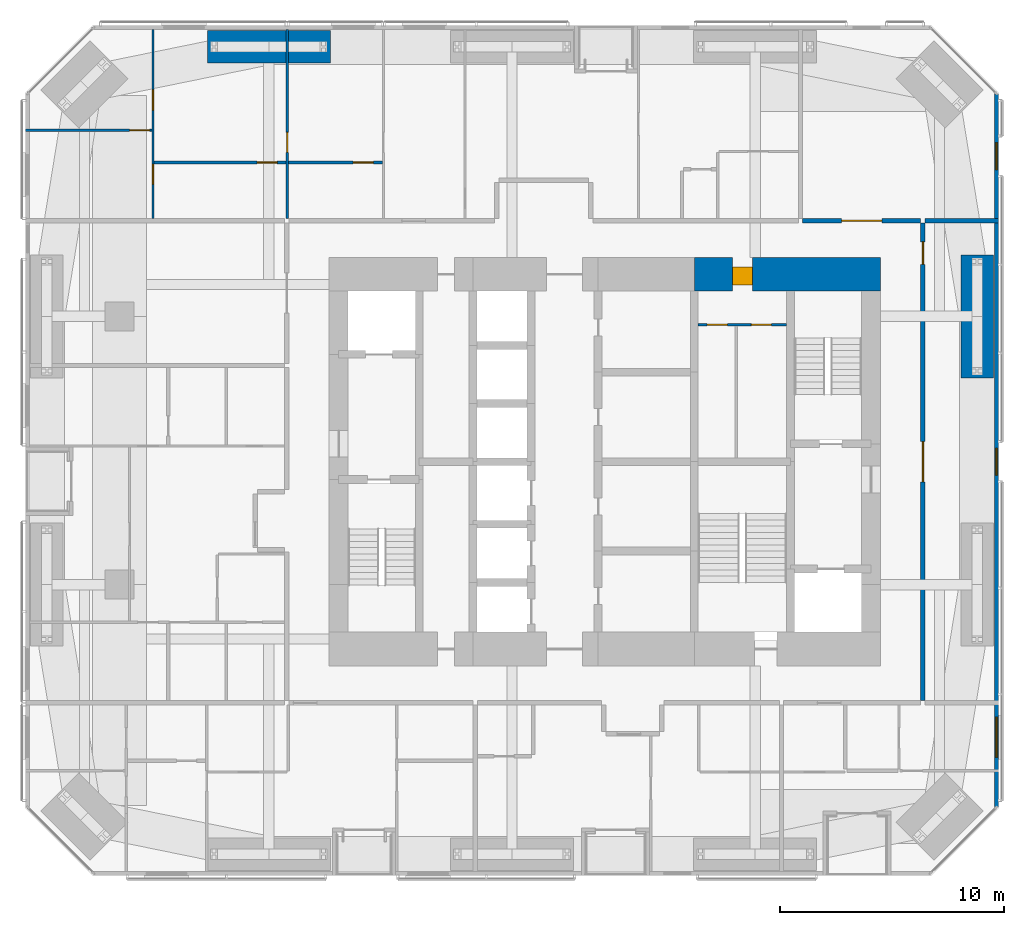
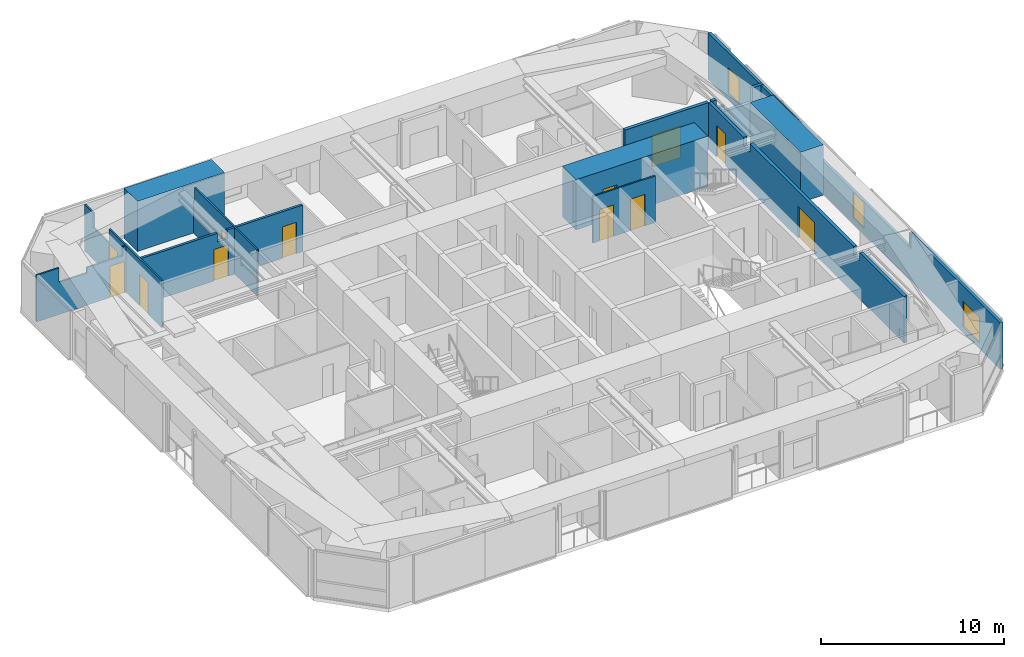
# One storey, part 21 of 23: 13 walls, 12 doors, 3 windows, 15 openings.
"""IFC4 building model written with IfcOpenShell, lengths in metres."""

from ifc_helpers import new_model, si_unit, direction, frame, frame_2d, origin, place, context, subcontext, project, spatial, polyline, rectangle, outline, extrude, material, layer, layer_set, constituent, constituent_set, type_object, element, fill, save


model = new_model("IFC4")

# Units and contexts
model_context = context("Model", 3, precision=1e-05, world=origin(), true_north=direction((0.0, 1.0)))
body_context = subcontext(model_context, "Body", "Model", "MODEL_VIEW")
ifc_project = project(units=[si_unit("LENGTHUNIT", "METRE"), si_unit("AREAUNIT", "SQUARE_METRE"), si_unit("VOLUMEUNIT", "CUBIC_METRE"), si_unit("PLANEANGLEUNIT", "RADIAN"), si_unit("MASSUNIT", "GRAM", prefix="KILO")], contexts=[model_context])

# Site, building, storey
site_placement = place(None, origin())
site = spatial("IfcSite", under=ifc_project, at=site_placement, CompositionType="ELEMENT")
building_placement = place(site_placement, origin())
building = spatial("IfcBuilding", under=site, at=building_placement, Name="Jalousie Tower", CompositionType="ELEMENT")
storey_placement = place(building_placement, frame((0.0, 0.0, 104.85009765625)))
storey = spatial("IfcBuildingStorey", under=building, at=storey_placement, Name="L28", CompositionType="ELEMENT", Elevation=104.85009765625)

# Wall, opening, door
ifc_material_1 = material(Name="Concrete block ASTM C90", Category="concrete")
ifc_constituent_1 = constituent(ifc_material_1, Name="Body")
ifc_material_2 = material(Name="Render")
ifc_constituent_2 = constituent(ifc_material_2, Name="Finish")
ifc_constituent_set_1 = constituent_set(constituents=[ifc_constituent_1, ifc_constituent_2])
wall_type_1 = type_object("IfcWallType", Name="BATHROOM WALL 150", PredefinedType="PLUMBINGWALL", material=ifc_constituent_set_1)
wall_1_placement = place(storey_placement, frame((11.75, 31.875, 0.0), z_axis=(0.0, 0.0, 1.0), x_axis=(1.0, 0.0, 0.0)))
wall_1 = element("IfcWall", 1, at=wall_1_placement, inside=storey, type_object=wall_type_1, Name="Bathroom Wall 150 L28", PredefinedType="PLUMBINGWALL", context=body_context, shape_type="SweptSolid", body=[
    extrude(outline(polyline([(0.0, 0.0), (5.89990234375, 0.0), (5.89990234375, 3.10986328125), (5.4375, 3.10986328125), (5.4375, 2.541015625), (4.8125, 2.541015625), (4.8125, 3.10986328125), (0.0, 3.10986328125), (0.0, 0.0)])), frame((0.0, 0.074951171875, 0.0), z_axis=(0.0, -1.0, 0.0), x_axis=(1.0, 0.0, 0.0)), (0.0, 0.0, 1.0), 0.14990234375),
])
opening_1_placement = place(wall_1_placement, frame((4.60009765625, 0.0, 0.0)))
opening_1 = element("IfcOpeningElement", 2, at=opening_1_placement, cuts=wall_1, Name="Opening D3", PredefinedType="OPENING", context=body_context, shape_type="SweptSolid", body=[
    extrude(rectangle(XDim=0.89990234375, YDim=2.10009765625, at=frame_2d((0.449951171875, 1.050048828125))), frame((0.0, 0.0849609375, 0.0), z_axis=(0.0, -1.0, 0.0), x_axis=(1.0, 0.0, 0.0)), (0.0, 0.0, 1.0), 0.169921875),
])
ifc_material_3 = material(Name="Timber door", Category="wood")
door_type_1 = type_object("IfcDoorType", Name="BATHROOM DOOR 900", OperationType="SINGLE_SWING_LEFT", PredefinedType="DOOR", material=ifc_material_3)
door_1_placement = place(opening_1_placement, frame((0.89990234375, 0.0, 0.0), z_axis=(0.0, 0.0, 1.0), x_axis=(-1.0, 0.0, 0.0)))
door_1 = element("IfcDoor", 3, at=door_1_placement, inside=storey, type_object=door_type_1, Name="Apartment 2804 bedroom 2 bathroom door", OperationType="SINGLE_SWING_LEFT", OverallHeight=2.10009765625, OverallWidth=0.89990234375, PredefinedType="DOOR", context=body_context, shape_type="SweptSolid", body=[
    extrude(rectangle(XDim=0.89990234375, YDim=2.10009765625, at=frame_2d((0.449951171875, 1.050048828125))), frame((0.0, 0.02490234375, 0.0), z_axis=(0.0, -1.0, 0.0), x_axis=(1.0, 0.0, 0.0)), (0.0, 0.0, 1.0), 0.050048828125),
])
fill(opening_1, door_1)

wall_2_placement = place(storey_placement, frame((17.75, 31.875, 0.0), z_axis=(0.0, 0.0, 1.0), x_axis=(1.0, 0.0, 0.0)))
wall_2 = element("IfcWall", 4, at=wall_2_placement, inside=storey, type_object=wall_type_1, Name="Bathroom Wall 150 L28", PredefinedType="PLUMBINGWALL", context=body_context, shape_type="SweptSolid", body=[
    extrude(rectangle(XDim=4.199951171875, YDim=0.14990234375, at=frame_2d((2.10009765625, 0.0))), origin(), (0.0, 0.0, 1.0), 3.10986328125),
])
opening_2_placement = place(wall_2_placement, frame((2.89990234375, 0.0, 0.0)))
opening_2 = element("IfcOpeningElement", 5, at=opening_2_placement, cuts=wall_2, Name="Opening D3", PredefinedType="OPENING", context=body_context, shape_type="SweptSolid", body=[
    extrude(rectangle(XDim=0.89990234375, YDim=2.10009765625, at=frame_2d((0.449951171875, 1.050048828125))), frame((0.0, 0.0849609375, 0.0), z_axis=(0.0, -1.0, 0.0), x_axis=(1.0, 0.0, 0.0)), (0.0, 0.0, 1.0), 0.169921875),
])
door_2_placement = place(opening_2_placement, frame((0.89990234375, 0.0, 0.0), z_axis=(0.0, 0.0, 1.0), x_axis=(-1.0, 0.0, 0.0)))
door_2 = element("IfcDoor", 6, at=door_2_placement, inside=storey, type_object=door_type_1, Name="Apartment 2804 bedroom 3 bathroom door", OperationType="SINGLE_SWING_LEFT", OverallHeight=2.10009765625, OverallWidth=0.89990234375, PredefinedType="DOOR", context=body_context, shape_type="SweptSolid", body=[
    extrude(rectangle(XDim=0.89990234375, YDim=2.10009765625, at=frame_2d((0.449951171875, 1.050048828125))), frame((0.0, 0.02490234375, 0.0), z_axis=(0.0, -1.0, 0.0), x_axis=(1.0, 0.0, 0.0)), (0.0, 0.0, 1.0), 0.050048828125),
])
fill(opening_2, door_2)

ifc_material_4 = material(Name="Concrete f'c 120 MPa", Category="concrete")
ifc_layer_1 = layer(ifc_material_4, 1.5)
ifc_layer_set_1 = layer_set([ifc_layer_1], Name="Concrete f'c 120 MPa")
wall_type_2 = type_object("IfcWallType", Name="CORE WALL 1500", PredefinedType="SHEAR", material=ifc_layer_set_1)
wall_3_placement = place(storey_placement, frame((44.22509765625, 26.875, 0.0), z_axis=(0.0, 0.0, 1.0), x_axis=(-1.0, 0.0, 0.0)))
wall_3 = element("IfcWall", 7, at=wall_3_placement, inside=storey, type_object=wall_type_2, Name="Core wall NA L28", PredefinedType="SHEAR", context=body_context, shape_type="SweptSolid", body=[
    extrude(rectangle(XDim=8.3251953125, YDim=1.5, at=frame_2d((4.16259765625, 0.0))), origin(), (0.0, 0.0, 1.0), 3.349853515625),
])
opening_3_placement = place(wall_3_placement, frame((5.72509765625, 0.0, 0.0)))
opening_3 = element("IfcOpeningElement", 8, at=opening_3_placement, cuts=wall_3, Name="Opening D25", PredefinedType="OPENING", context=body_context, shape_type="SweptSolid", body=[
    extrude(rectangle(XDim=0.89990234375, YDim=2.10009765625, at=frame_2d((0.449951171875, 1.050048828125))), frame((0.0, 0.760009765625, 0.0), z_axis=(0.0, -1.0, 0.0), x_axis=(1.0, 0.0, 0.0)), (0.0, 0.0, 1.0), 1.52001953125),
])
ifc_material_5 = material(Name="Steel fire door", Category="steel")
door_type_2 = type_object("IfcDoorType", Name="SERVICE LOBBY DOOR 900", OperationType="SINGLE_SWING_LEFT", PredefinedType="DOOR", material=ifc_material_5)
door_3_placement = place(opening_3_placement, origin())
door_3 = element("IfcDoor", 9, at=door_3_placement, inside=storey, type_object=door_type_2, Name="Service lobby door", OperationType="SINGLE_SWING_LEFT", OverallHeight=2.10009765625, OverallWidth=0.89990234375, PredefinedType="DOOR", context=body_context, shape_type="SweptSolid", body=[
    extrude(rectangle(XDim=0.89990234375, YDim=2.10009765625, at=frame_2d((0.449951171875, 1.050048828125))), frame((0.0, 0.47021484375, 0.0), z_axis=(0.0, -1.0, 0.0), x_axis=(1.0, 0.0, 0.0)), (0.0, 0.0, 1.0), 0.800048828125),
])
fill(opening_3, door_3)

ifc_material_6 = material(Name="Concrete block ASTM C90", Category="concrete")
ifc_constituent_3 = constituent(ifc_material_6, Name="Body")
ifc_material_7 = material(Name="Render")
ifc_constituent_4 = constituent(ifc_material_7, Name="Finish")
ifc_constituent_set_2 = constituent_set(constituents=[ifc_constituent_3, ifc_constituent_4])
wall_type_3 = type_object("IfcWallType", Name="CORRIDOR WALL 200", PredefinedType="PARTITIONING", material=ifc_constituent_set_2)
wall_4_placement = place(storey_placement, frame((40.75, 29.27490234375, 0.0), z_axis=(0.0, 0.0, 1.0), x_axis=(1.0, 0.0, 0.0)))
wall_4 = element("IfcWall", 10, at=wall_4_placement, inside=storey, type_object=wall_type_3, Name="Corridor Wall 200 L28", PredefinedType="PARTITIONING", context=body_context, shape_type="SweptSolid", body=[
    extrude(rectangle(XDim=5.27490234375, YDim=0.199951171875, at=frame_2d((2.637451171875, 0.0))), origin(), (0.0, 0.0, 1.0), 3.10986328125),
])
opening_4_placement = place(wall_4_placement, frame((1.737548828125, 0.0, 0.0)))
opening_4 = element("IfcOpeningElement", 11, at=opening_4_placement, cuts=wall_4, Name="Opening D22", PredefinedType="OPENING", context=body_context, shape_type="SweptSolid", body=[
    extrude(rectangle(XDim=1.800048828125, YDim=2.10009765625, at=frame_2d((0.89990234375, 1.050048828125))), frame((0.0, 0.10986328125, 0.0), z_axis=(0.0, -1.0, 0.0), x_axis=(1.0, 0.0, 0.0)), (0.0, 0.0, 1.0), 0.219970703125),
])
ifc_material_8 = material(Name="Timber fire door", Category="wood")
door_type_3 = type_object("IfcDoorType", Name="CORRIDOR DOUBLE DOOR 1800", OperationType="DOUBLE_DOOR_SINGLE_SWING", PredefinedType="DOOR", material=ifc_material_8)
door_4_placement = place(opening_4_placement, origin())
door_4 = element("IfcDoor", 12, at=door_4_placement, inside=storey, type_object=door_type_3, Name="Residents' games room door", OperationType="DOUBLE_DOOR_SINGLE_SWING", OverallHeight=2.10009765625, OverallWidth=1.800048828125, PredefinedType="DOOR", context=body_context, shape_type="SweptSolid", body=[
    extrude(rectangle(XDim=1.800048828125, YDim=2.10009765625, at=frame_2d((0.89990234375, 1.050048828125))), frame((0.0, 0.02490234375, 0.0), z_axis=(0.0, -1.0, 0.0), x_axis=(1.0, 0.0, 0.0)), (0.0, 0.0, 1.0), 0.050048828125),
])
fill(opening_4, door_4)

# Wall, openings, doors
wall_5_placement = place(storey_placement, frame((46.125, 7.824951171875, 0.0), z_axis=(0.0, 0.0, 1.0), x_axis=(0.0, 1.0, 0.0)))
wall_5 = element("IfcWall", 13, at=wall_5_placement, inside=storey, type_object=wall_type_3, Name="Corridor Wall 200 L28", PredefinedType="PARTITIONING", context=body_context, shape_type="SweptSolid", body=[
    extrude(outline(polyline([(0.0, 0.0), (21.35009765625, 0.0), (21.35009765625, 3.10986328125), (17.512451171875, 3.10986328125), (17.512451171875, 2.541015625), (16.837646484375, 2.541015625), (16.837646484375, 3.10986328125), (5.51220703125, 3.10986328125), (5.51220703125, 2.541015625), (4.837646484375, 2.541015625), (4.837646484375, 3.10986328125), (0.0, 3.10986328125), (0.0, 0.0)])), frame((0.0, 0.10009765625, 0.0), z_axis=(0.0, -1.0, 0.0), x_axis=(1.0, 0.0, 0.0)), (0.0, 0.0, 1.0), 0.199951171875),
])
opening_5_placement = place(wall_5_placement, frame((9.77490234375, 0.0, 0.0)))
opening_5 = element("IfcOpeningElement", 14, at=opening_5_placement, cuts=wall_5, Name="Opening D22", PredefinedType="OPENING", context=body_context, shape_type="SweptSolid", body=[
    extrude(rectangle(XDim=1.800048828125, YDim=2.10009765625, at=frame_2d((0.89990234375, 1.050048828125))), frame((0.0, 0.10986328125, 0.0), z_axis=(0.0, -1.0, 0.0), x_axis=(1.0, 0.0, 0.0)), (0.0, 0.0, 1.0), 0.219970703125),
])
opening_6_placement = place(wall_5_placement, frame((19.5, 0.0, 0.0)))
opening_6 = element("IfcOpeningElement", 15, at=opening_6_placement, cuts=wall_5, Name="Opening D21", PredefinedType="OPENING", context=body_context, shape_type="SweptSolid", body=[
    extrude(rectangle(XDim=1.0, YDim=2.10009765625, at=frame_2d((0.5, 1.050048828125))), frame((0.0, 0.10986328125, 0.0), z_axis=(0.0, -1.0, 0.0), x_axis=(1.0, 0.0, 0.0)), (0.0, 0.0, 1.0), 0.219970703125),
])
ifc_material_9 = material(Name="Timber fire door", Category="wood")
door_type_4 = type_object("IfcDoorType", Name="CORRIDOR DOOR 1000", OperationType="SINGLE_SWING_LEFT", PredefinedType="DOOR", material=ifc_material_9)
door_5_placement = place(opening_6_placement, frame((1.0, 0.0, 0.0), z_axis=(0.0, 0.0, 1.0), x_axis=(-1.0, 0.0, 0.0)))
door_5 = element("IfcDoor", 16, at=door_5_placement, inside=storey, type_object=door_type_4, Name="Lounge second door", OperationType="SINGLE_SWING_LEFT", OverallHeight=2.10009765625, OverallWidth=1.0, PredefinedType="DOOR", context=body_context, shape_type="SweptSolid", body=[
    extrude(rectangle(XDim=1.0, YDim=2.10009765625, at=frame_2d((0.5, 1.050048828125))), frame((0.0, 0.02490234375, 0.0), z_axis=(0.0, -1.0, 0.0), x_axis=(1.0, 0.0, 0.0)), (0.0, 0.0, 1.0), 0.050048828125),
])
fill(opening_6, door_5)
door_6_placement = place(opening_5_placement, frame((1.800048828125, 0.0, 0.0), z_axis=(0.0, 0.0, 1.0), x_axis=(-1.0, 0.0, 0.0)))
door_6 = element("IfcDoor", 17, at=door_6_placement, inside=storey, type_object=door_type_3, Name="Lounge door", OperationType="DOUBLE_DOOR_SINGLE_SWING", OverallHeight=2.10009765625, OverallWidth=1.800048828125, PredefinedType="DOOR", context=body_context, shape_type="SweptSolid", body=[
    extrude(rectangle(XDim=1.800048828125, YDim=2.10009765625, at=frame_2d((0.89990234375, 1.050048828125))), frame((0.0, 0.02490234375, 0.0), z_axis=(0.0, -1.0, 0.0), x_axis=(1.0, 0.0, 0.0)), (0.0, 0.0, 1.0), 0.050048828125),
])
fill(opening_5, door_6)

# Wall, openings, windows
ifc_material_10 = material(Name="Concrete f'c 40 MPa", Category="concrete")
ifc_constituent_5 = constituent(ifc_material_10, Name="Body")
ifc_material_11 = material(Name="Render, pastel sea green")
ifc_constituent_6 = constituent(ifc_material_11, Name="Finish")
ifc_constituent_set_3 = constituent_set(constituents=[ifc_constituent_5, ifc_constituent_6])
wall_type_4 = type_object("IfcWallType", Name="EXTERNAL WALL 175 SEA GREEN RENDER", PredefinedType="SOLIDWALL", material=ifc_constituent_set_3)
wall_6_placement = place(storey_placement, frame((49.41259765625, 3.05126953125, 0.0), z_axis=(0.0, 0.0, 1.0), x_axis=(0.0, 1.0, 0.0)))
wall_6 = element("IfcWall", 18, at=wall_6_placement, inside=storey, type_object=wall_type_4, Name="External Wall 175 Sea Green Render L28", PredefinedType="SOLIDWALL", context=body_context, shape_type="SweptSolid", body=[
    extrude(outline(polyline([(0.0, 0.0), (31.8974609375, 0.0), (31.8974609375, 3.10986328125), (22.167236328125, 3.10986328125), (22.167236328125, 2.14990234375), (22.074462890625, 2.14990234375), (22.074462890625, 3.10986328125), (21.94873046875, 3.10986328125), (21.94873046875, 2.14990234375), (9.94873046875, 2.14990234375), (9.94873046875, 3.10986328125), (9.822998046875, 3.10986328125), (9.822998046875, 2.14990234375), (9.72998046875, 2.14990234375), (9.72998046875, 3.10986328125), (0.0, 3.10986328125), (0.0, 0.0)])), frame((0.0, 0.08740234375, 0.0), z_axis=(0.0, -1.0, 0.0), x_axis=(1.0, 0.0, 0.0)), (0.0, 0.0, 1.0), 0.175048828125),
])
opening_7_placement = place(wall_6_placement, frame((2.22412109375, 0.0, 0.39990234375)))
opening_7 = element("IfcOpeningElement", 19, at=opening_7_placement, cuts=wall_6, Name="Opening W-BED170", PredefinedType="OPENING", context=body_context, shape_type="SweptSolid", body=[
    extrude(rectangle(XDim=1.800048828125, YDim=1.699951171875, at=frame_2d((0.89990234375, 0.85009765625))), frame((0.0, 0.097412109375, 0.0), z_axis=(0.0, -1.0, 0.0), x_axis=(1.0, 0.0, 0.0)), (0.0, 0.0, 1.0), 0.195068359375),
])
opening_8_placement = place(wall_6_placement, frame((14.8486328125, 0.0, 0.39990234375)))
opening_8 = element("IfcOpeningElement", 20, at=opening_8_placement, cuts=wall_6, Name="Opening W-COR170", PredefinedType="OPENING", context=body_context, shape_type="SweptSolid", body=[
    extrude(rectangle(XDim=1.199951171875, YDim=1.699951171875, at=frame_2d((0.60009765625, 0.85009765625))), frame((0.0, 0.097412109375, 0.0), z_axis=(0.0, -1.0, 0.0), x_axis=(1.0, 0.0, 0.0)), (0.0, 0.0, 1.0), 0.195068359375),
])
opening_9_placement = place(wall_6_placement, frame((28.510498046875, 0.0, 0.39990234375)))
opening_9 = element("IfcOpeningElement", 21, at=opening_9_placement, cuts=wall_6, Name="Opening W-COR170", PredefinedType="OPENING", context=body_context, shape_type="SweptSolid", body=[
    extrude(rectangle(XDim=1.199951171875, YDim=1.699951171875, at=frame_2d((0.60009765625, 0.85009765625))), frame((0.0, 0.097412109375, 0.0), z_axis=(0.0, -1.0, 0.0), x_axis=(1.0, 0.0, 0.0)), (0.0, 0.0, 1.0), 0.195068359375),
])
ifc_material_12 = material(Name="Aluminium frame, impact-rated glazing", Category="aluminium")
window_type_1 = type_object("IfcWindowType", Name="WINDOW BED 1800x1700", PartitioningType="SINGLE_PANEL", PredefinedType="WINDOW", material=ifc_material_12)
window_1_placement = place(opening_7_placement, origin())
window_1 = element("IfcWindow", 22, at=window_1_placement, inside=storey, type_object=window_type_1, Name="Apartment 2803 bedroom 1 window", OverallHeight=1.699951171875, OverallWidth=1.800048828125, PartitioningType="SINGLE_PANEL", PredefinedType="WINDOW", context=body_context, shape_type="SweptSolid", body=[
    extrude(rectangle(XDim=1.800048828125, YDim=1.699951171875, at=frame_2d((0.89990234375, 0.85009765625))), frame((0.0, 0.030029296875, 0.0), z_axis=(0.0, -1.0, 0.0), x_axis=(1.0, 0.0, 0.0)), (0.0, 0.0, 1.0), 0.06005859375),
])
fill(opening_7, window_1)
ifc_material_13 = material(Name="Aluminium frame, impact-rated glazing", Category="aluminium")
window_type_2 = type_object("IfcWindowType", Name="WINDOW COR 1200x1700", PartitioningType="SINGLE_PANEL", PredefinedType="WINDOW", material=ifc_material_13)
window_2_placement = place(opening_8_placement, origin())
window_2 = element("IfcWindow", 23, at=window_2_placement, inside=storey, type_object=window_type_2, Name="Residents' lounge window", OverallHeight=1.699951171875, OverallWidth=1.199951171875, PartitioningType="SINGLE_PANEL", PredefinedType="WINDOW", context=body_context, shape_type="SweptSolid", body=[
    extrude(rectangle(XDim=1.199951171875, YDim=1.699951171875, at=frame_2d((0.60009765625, 0.85009765625))), frame((0.0, 0.030029296875, 0.0), z_axis=(0.0, -1.0, 0.0), x_axis=(1.0, 0.0, 0.0)), (0.0, 0.0, 1.0), 0.06005859375),
])
fill(opening_8, window_2)
window_3_placement = place(opening_9_placement, origin())
window_3 = element("IfcWindow", 24, at=window_3_placement, inside=storey, type_object=window_type_2, Name="Residents' games room window", OverallHeight=1.699951171875, OverallWidth=1.199951171875, PartitioningType="SINGLE_PANEL", PredefinedType="WINDOW", context=body_context, shape_type="SweptSolid", body=[
    extrude(rectangle(XDim=1.199951171875, YDim=1.699951171875, at=frame_2d((0.60009765625, 0.85009765625))), frame((0.0, 0.030029296875, 0.0), z_axis=(0.0, -1.0, 0.0), x_axis=(1.0, 0.0, 0.0)), (0.0, 0.0, 1.0), 0.06005859375),
])
fill(opening_9, window_3)

# Wall, openings, doors
ifc_material_14 = material(Name="Gypsum board", Category="gypsum")
ifc_constituent_7 = constituent(ifc_material_14, Name="Body")
ifc_material_15 = material(Name="Light-gauge steel studs ASTM A653 SS Grade 33", Category="steel")
ifc_constituent_8 = constituent(ifc_material_15, Name="Framing")
ifc_constituent_set_4 = constituent_set(constituents=[ifc_constituent_7, ifc_constituent_8])
wall_type_5 = type_object("IfcWallType", Name="PARTITION 100", PredefinedType="PARTITIONING", material=ifc_constituent_set_4)
wall_7_placement = place(storey_placement, frame((11.699951171875, 37.824951171875, 0.0), z_axis=(0.0, 0.0, 1.0), x_axis=(0.0, -1.0, 0.0)))
wall_7 = element("IfcWall", 25, at=wall_7_placement, inside=storey, type_object=wall_type_5, Name="Partition 100 L28", PredefinedType="PARTITIONING", context=body_context, shape_type="SweptSolid", body=[
    extrude(outline(polyline([(0.0, 0.0), (8.449951171875, 0.0), (8.449951171875, 3.10986328125), (2.708251953125, 3.10986328125), (2.708251953125, 2.14990234375), (0.952880859375, 2.14990234375), (0.952880859375, 3.10986328125), (0.0, 3.10986328125), (0.0, 0.0)])), frame((0.0, 0.050048828125, 0.0), z_axis=(0.0, -1.0, 0.0), x_axis=(1.0, 0.0, 0.0)), (0.0, 0.0, 1.0), 0.10009765625),
])
opening_10_placement = place(wall_7_placement, frame((2.700927734375, 0.0, 0.0)))
opening_10 = element("IfcOpeningElement", 26, at=opening_10_placement, cuts=wall_7, Name="Opening D2", PredefinedType="OPENING", context=body_context, shape_type="SweptSolid", body=[
    extrude(rectangle(XDim=0.89990234375, YDim=2.10009765625, at=frame_2d((0.449951171875, 1.050048828125))), frame((0.0, 0.06005859375, 0.0), z_axis=(0.0, -1.0, 0.0), x_axis=(1.0, 0.0, 0.0)), (0.0, 0.0, 1.0), 0.1201171875),
])
opening_11_placement = place(wall_7_placement, frame((6.025390625, 0.0, 0.0)))
opening_11 = element("IfcOpeningElement", 27, at=opening_11_placement, cuts=wall_7, Name="Opening D3", PredefinedType="OPENING", context=body_context, shape_type="SweptSolid", body=[
    extrude(rectangle(XDim=0.89990234375, YDim=2.10009765625, at=frame_2d((0.449951171875, 1.050048828125))), frame((0.0, 0.06005859375, 0.0), z_axis=(0.0, -1.0, 0.0), x_axis=(1.0, 0.0, 0.0)), (0.0, 0.0, 1.0), 0.1201171875),
])
door_7_placement = place(opening_11_placement, origin())
door_7 = element("IfcDoor", 28, at=door_7_placement, inside=storey, type_object=door_type_1, Name="Apartment 2804 bedroom 1 bathroom door", OperationType="SINGLE_SWING_LEFT", OverallHeight=2.10009765625, OverallWidth=0.89990234375, PredefinedType="DOOR", context=body_context, shape_type="SweptSolid", body=[
    extrude(rectangle(XDim=0.89990234375, YDim=2.10009765625, at=frame_2d((0.449951171875, 1.050048828125))), frame((0.0, 0.02490234375, 0.0), z_axis=(0.0, -1.0, 0.0), x_axis=(1.0, 0.0, 0.0)), (0.0, 0.0, 1.0), 0.050048828125),
])
fill(opening_11, door_7)
ifc_material_16 = material(Name="Timber door", Category="wood")
door_type_5 = type_object("IfcDoorType", Name="BEDROOM DOOR 900", OperationType="SINGLE_SWING_LEFT", PredefinedType="DOOR", material=ifc_material_16)
door_8_placement = place(opening_10_placement, origin())
door_8 = element("IfcDoor", 29, at=door_8_placement, inside=storey, type_object=door_type_5, Name="Apartment 2804 bedroom 1 door", OperationType="SINGLE_SWING_RIGHT", OverallHeight=2.10009765625, OverallWidth=0.89990234375, PredefinedType="DOOR", context=body_context, shape_type="SweptSolid", body=[
    extrude(rectangle(XDim=0.89990234375, YDim=2.10009765625, at=frame_2d((0.449951171875, 1.050048828125))), frame((0.0, 0.02490234375, 0.0), z_axis=(0.0, -1.0, 0.0), x_axis=(1.0, 0.0, 0.0)), (0.0, 0.0, 1.0), 0.050048828125),
])
fill(opening_10, door_8)

# Wall, opening, door
wall_8_placement = place(storey_placement, frame((17.699951171875, 37.824951171875, 0.0), z_axis=(0.0, 0.0, 1.0), x_axis=(0.0, -1.0, 0.0)))
wall_8 = element("IfcWall", 30, at=wall_8_placement, inside=storey, type_object=wall_type_5, Name="Partition 100 L28", PredefinedType="PARTITIONING", context=body_context, shape_type="SweptSolid", body=[
    extrude(outline(polyline([(1.635009765625, 2.14990234375), (0.0, 2.14990234375), (0.0, 0.0), (8.449951171875, 0.0), (8.449951171875, 3.10986328125), (1.635009765625, 3.10986328125), (1.635009765625, 2.14990234375)]), holes=[polyline([(1.021240234375, 0.115966796875), (0.52880859375, 0.115966796875), (0.52880859375, 0.90576171875), (1.021240234375, 0.90576171875), (1.021240234375, 0.115966796875)]), polyline([(1.021240234375, 1.243896484375), (0.52880859375, 1.243896484375), (0.52880859375, 2.033935546875), (1.021240234375, 2.033935546875), (1.021240234375, 1.243896484375)])]), frame((0.0, 0.050048828125, 0.0), z_axis=(0.0, -1.0, 0.0), x_axis=(1.0, 0.0, 0.0)), (0.0, 0.0, 1.0), 0.10009765625),
])
opening_12_placement = place(wall_8_placement, frame((4.60009765625, 0.0, 0.0)))
opening_12 = element("IfcOpeningElement", 31, at=opening_12_placement, cuts=wall_8, Name="Opening D2", PredefinedType="OPENING", context=body_context, shape_type="SweptSolid", body=[
    extrude(rectangle(XDim=0.89990234375, YDim=2.10009765625, at=frame_2d((0.449951171875, 1.050048828125))), frame((0.0, 0.06005859375, 0.0), z_axis=(0.0, -1.0, 0.0), x_axis=(1.0, 0.0, 0.0)), (0.0, 0.0, 1.0), 0.1201171875),
])
door_9_placement = place(opening_12_placement, frame((0.89990234375, 0.0, 0.0), z_axis=(0.0, 0.0, 1.0), x_axis=(-1.0, 0.0, 0.0)))
door_9 = element("IfcDoor", 32, at=door_9_placement, inside=storey, type_object=door_type_5, Name="Apartment 2804 bedroom 2 door", OperationType="SINGLE_SWING_LEFT", OverallHeight=2.10009765625, OverallWidth=0.89990234375, PredefinedType="DOOR", context=body_context, shape_type="SweptSolid", body=[
    extrude(rectangle(XDim=0.89990234375, YDim=2.10009765625, at=frame_2d((0.449951171875, 1.050048828125))), frame((0.0, 0.02490234375, 0.0), z_axis=(0.0, -1.0, 0.0), x_axis=(1.0, 0.0, 0.0)), (0.0, 0.0, 1.0), 0.050048828125),
])
fill(opening_12, door_9)

wall_9_placement = place(storey_placement, frame((6.0, 33.32421875, 0.0), z_axis=(0.0, 0.0, 1.0), x_axis=(1.0, 0.0, 0.0)))
wall_9 = element("IfcWall", 33, at=wall_9_placement, inside=storey, type_object=wall_type_5, Name="Partition 100 L28", PredefinedType="PARTITIONING", context=body_context, shape_type="SweptSolid", body=[
    extrude(outline(polyline([(0.0, 0.0), (5.64990234375, 0.0), (5.64990234375, 3.10986328125), (5.4599609375, 3.10986328125), (5.4599609375, 2.510009765625), (3.171142578125, 2.510009765625), (3.171142578125, 2.14990234375), (1.4287109375, 2.14990234375), (1.4287109375, 3.10986328125), (0.0, 3.10986328125), (0.0, 0.0)])), frame((0.0, 0.050048828125, 0.0), z_axis=(0.0, -1.0, 0.0), x_axis=(1.0, 0.0, 0.0)), (0.0, 0.0, 1.0), 0.10009765625),
])
opening_13_placement = place(wall_9_placement, frame((4.64990234375, 0.0, 0.0)))
opening_13 = element("IfcOpeningElement", 34, at=opening_13_placement, cuts=wall_9, Name="Opening D7", PredefinedType="OPENING", context=body_context, shape_type="SweptSolid", body=[
    extrude(rectangle(XDim=0.89990234375, YDim=2.10009765625, at=frame_2d((0.449951171875, 1.050048828125))), frame((0.0, 0.06005859375, 0.0), z_axis=(0.0, -1.0, 0.0), x_axis=(1.0, 0.0, 0.0)), (0.0, 0.0, 1.0), 0.1201171875),
])
ifc_material_17 = material(Name="Timber door", Category="wood")
door_type_6 = type_object("IfcDoorType", Name="INTERNAL DOOR 900", OperationType="SINGLE_SWING_LEFT", PredefinedType="DOOR", material=ifc_material_17)
door_10_placement = place(opening_13_placement, frame((0.89990234375, 0.0, 0.0), z_axis=(0.0, 0.0, 1.0), x_axis=(-1.0, 0.0, 0.0)))
door_10 = element("IfcDoor", 35, at=door_10_placement, inside=storey, type_object=door_type_6, Name="Apartment 2804 bedroom 1 dressing hall door", OperationType="SINGLE_SWING_LEFT", OverallHeight=2.10009765625, OverallWidth=0.89990234375, PredefinedType="DOOR", context=body_context, shape_type="SweptSolid", body=[
    extrude(rectangle(XDim=0.89990234375, YDim=2.10009765625, at=frame_2d((0.449951171875, 1.050048828125))), frame((0.0, 0.02490234375, 0.0), z_axis=(0.0, -1.0, 0.0), x_axis=(1.0, 0.0, 0.0)), (0.0, 0.0, 1.0), 0.050048828125),
])
fill(opening_13, door_10)

# Wall, openings, doors
wall_10_placement = place(storey_placement, frame((36.074951171875, 24.625, 0.0), z_axis=(0.0, 0.0, 1.0), x_axis=(1.0, 0.0, 0.0)))
wall_10 = element("IfcWall", 36, at=wall_10_placement, inside=storey, type_object=wall_type_5, Name="Partition 100 L28", PredefinedType="PARTITIONING", context=body_context, shape_type="SweptSolid", body=[
    extrude(rectangle(XDim=3.949951171875, YDim=0.10009765625, at=frame_2d((1.97509765625, 0.0))), origin(), (0.0, 0.0, 1.0), 3.10986328125),
])
opening_14_placement = place(wall_10_placement, frame((0.39990234375, 0.0, 0.0)))
opening_14 = element("IfcOpeningElement", 37, at=opening_14_placement, cuts=wall_10, Name="Opening D7", PredefinedType="OPENING", context=body_context, shape_type="SweptSolid", body=[
    extrude(rectangle(XDim=0.89990234375, YDim=2.10009765625, at=frame_2d((0.449951171875, 1.050048828125))), frame((0.0, 0.06005859375, 0.0), z_axis=(0.0, -1.0, 0.0), x_axis=(1.0, 0.0, 0.0)), (0.0, 0.0, 1.0), 0.1201171875),
])
opening_15_placement = place(wall_10_placement, frame((2.375, 0.0, 0.0)))
opening_15 = element("IfcOpeningElement", 38, at=opening_15_placement, cuts=wall_10, Name="Opening D7", PredefinedType="OPENING", context=body_context, shape_type="SweptSolid", body=[
    extrude(rectangle(XDim=0.89990234375, YDim=2.10009765625, at=frame_2d((0.449951171875, 1.050048828125))), frame((0.0, 0.06005859375, 0.0), z_axis=(0.0, -1.0, 0.0), x_axis=(1.0, 0.0, 0.0)), (0.0, 0.0, 1.0), 0.1201171875),
])
door_11_placement = place(opening_14_placement, frame((0.89990234375, 0.0, 0.0), z_axis=(0.0, 0.0, 1.0), x_axis=(-1.0, 0.0, 0.0)))
door_11 = element("IfcDoor", 39, at=door_11_placement, inside=storey, type_object=door_type_6, Name="Staff WC door", OperationType="SINGLE_SWING_LEFT", OverallHeight=2.10009765625, OverallWidth=0.89990234375, PredefinedType="DOOR", context=body_context, shape_type="SweptSolid", body=[
    extrude(rectangle(XDim=0.89990234375, YDim=2.10009765625, at=frame_2d((0.449951171875, 1.050048828125))), frame((0.0, 0.02490234375, 0.0), z_axis=(0.0, -1.0, 0.0), x_axis=(1.0, 0.0, 0.0)), (0.0, 0.0, 1.0), 0.050048828125),
])
fill(opening_14, door_11)
door_12_placement = place(opening_15_placement, frame((0.89990234375, 0.0, 0.0), z_axis=(0.0, 0.0, 1.0), x_axis=(-1.0, 0.0, 0.0)))
door_12 = element("IfcDoor", 40, at=door_12_placement, inside=storey, type_object=door_type_6, Name="Pantry door", OperationType="SINGLE_SWING_RIGHT", OverallHeight=2.10009765625, OverallWidth=0.89990234375, PredefinedType="DOOR", context=body_context, shape_type="SweptSolid", body=[
    extrude(rectangle(XDim=0.89990234375, YDim=2.10009765625, at=frame_2d((0.449951171875, 1.050048828125))), frame((0.0, 0.02490234375, 0.0), z_axis=(0.0, -1.0, 0.0), x_axis=(1.0, 0.0, 0.0)), (0.0, 0.0, 1.0), 0.050048828125),
])
fill(opening_15, door_12)

# Walls
ifc_material_18 = material(Name="Concrete block ASTM C90", Category="concrete")
ifc_constituent_9 = constituent(ifc_material_18, Name="Body")
ifc_material_19 = material(Name="Render")
ifc_constituent_10 = constituent(ifc_material_19, Name="Finish")
ifc_constituent_set_5 = constituent_set(constituents=[ifc_constituent_9, ifc_constituent_10])
wall_type_6 = type_object("IfcWallType", Name="PARTY WALL 200", PredefinedType="PARTITIONING", material=ifc_constituent_set_5)
wall_11_placement = place(storey_placement, frame((46.22509765625, 29.27490234375, 0.0), z_axis=(0.0, 0.0, 1.0), x_axis=(1.0, 0.0, 0.0)))
element("IfcWall", 41, at=wall_11_placement, inside=storey, type_object=wall_type_6, Name="Party Wall 200 L28", PredefinedType="PARTITIONING", context=body_context, shape_type="SweptSolid", body=[
    extrude(outline(polyline([(0.0, 0.0), (3.27490234375, 0.0), (3.27490234375, 3.10986328125), (2.5537109375, 3.10986328125), (2.5537109375, 2.14990234375), (0.80517578125, 2.14990234375), (0.80517578125, 2.541015625), (0.30615234375, 2.541015625), (0.30615234375, 3.10986328125), (0.0, 3.10986328125), (0.0, 0.0)])), frame((0.0, 0.10009765625, 0.0), z_axis=(0.0, -1.0, 0.0), x_axis=(1.0, 0.0, 0.0)), (0.0, 0.0, 1.0), 0.199951171875),
])
ifc_material_20 = material(Name="Concrete f'c 120 MPa", Category="concrete")
ifc_layer_2 = layer(ifc_material_20, 1.449951171875)
ifc_layer_set_2 = layer_set([ifc_layer_2], Name="Concrete f'c 120 MPa")
wall_type_7 = type_object("IfcWallType", Name="RC WALL PIER 1450", PredefinedType="SHEAR", material=ifc_layer_set_2)
for number, where, z_axis, x_axis, name in (
    (42, (48.550048828125, 22.25, 0.0), (0.0, 0.0, 1.0), (0.0, 1.0, 0.0), "Wall pier 07 L28"),
    (43, (14.125, 37.050048828125, 0.0), (0.0, 0.0, 1.0), (1.0, 0.0, 0.0), "Wall pier 11 L28"),
):
    element("IfcWall", number, at=place(storey_placement, frame(where, z_axis=z_axis, x_axis=x_axis)), inside=storey, type_object=wall_type_7, Name=name, PredefinedType="SHEAR", context=body_context, shape_type="SweptSolid", body=[
        extrude(rectangle(XDim=5.5, YDim=1.449951171875, at=frame_2d((2.75, 0.0))), origin(), (0.0, 0.0, 1.0), 3.349853515625),
    ])

save(model, "model.ifc")
